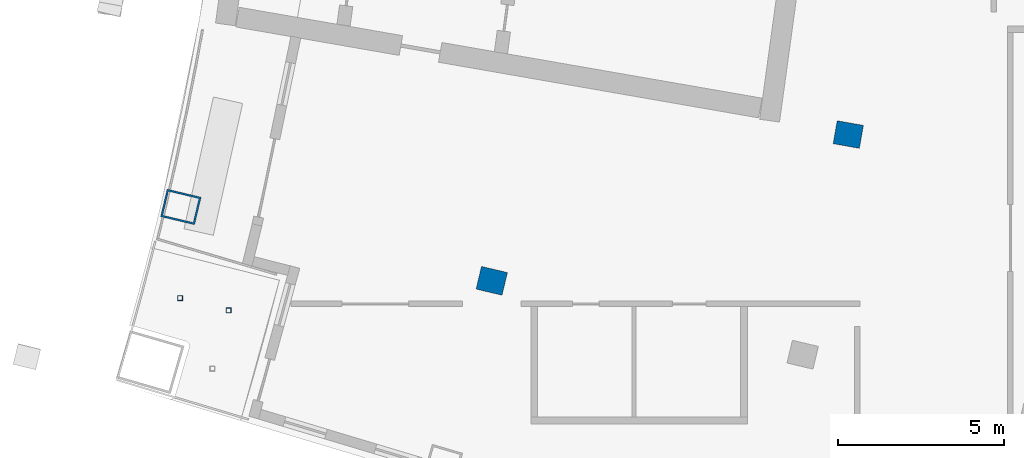
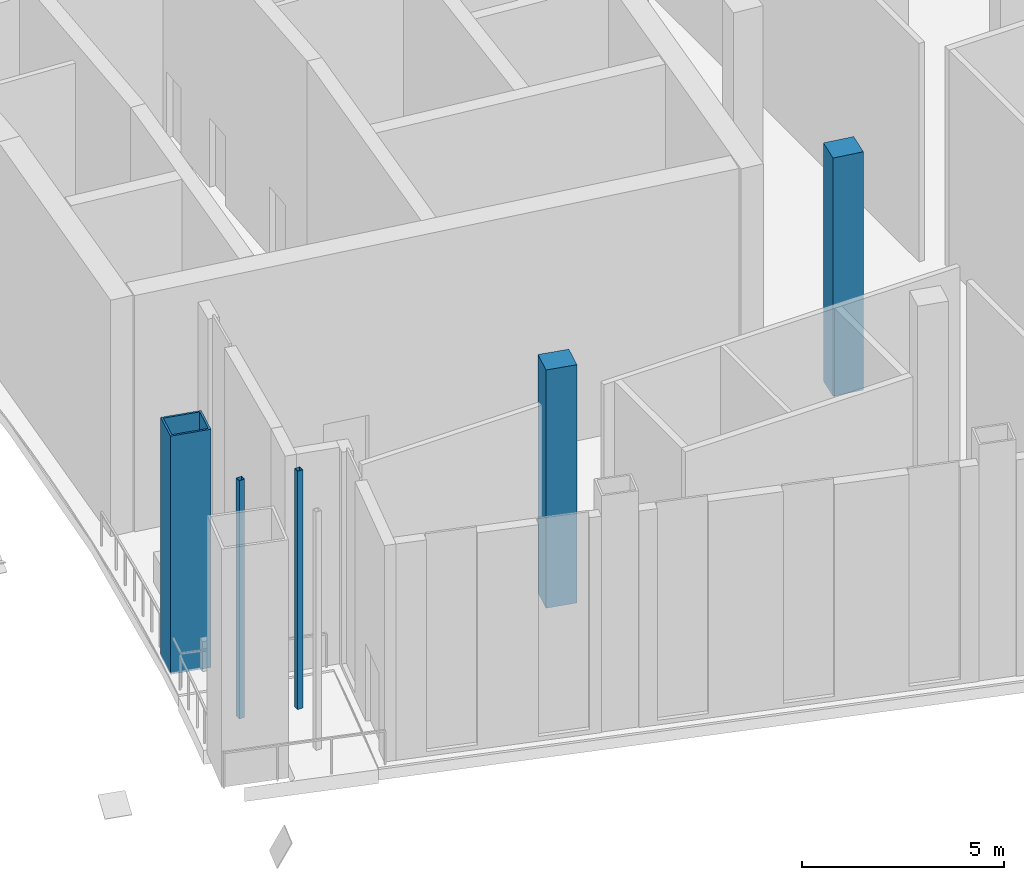
# One storey, part 3 of 24: 5 columns.
"""IFC4 building model written with IfcOpenShell, lengths in metres."""

from ifc_helpers import new_model, si_unit, direction, frame, origin, origin_2d, place, context, subcontext, project, spatial, rectangle, hollow_rectangle, extrude, material, material_profile, profile_set, type_object, element, save


model = new_model("IFC4")

# Units and contexts
model_context = context("Model", 3, precision=1e-05, world=origin(), true_north=direction((0.0, 1.0)))
body_context = subcontext(model_context, "Body", "Model", "MODEL_VIEW")
ifc_project = project(units=[si_unit("LENGTHUNIT", "METRE"), si_unit("AREAUNIT", "SQUARE_METRE"), si_unit("VOLUMEUNIT", "CUBIC_METRE"), si_unit("PLANEANGLEUNIT", "RADIAN"), si_unit("MASSUNIT", "GRAM", prefix="KILO")], contexts=[model_context])

# Site, building, storey
site_placement = place(None, origin())
site = spatial("IfcSite", under=ifc_project, at=site_placement, CompositionType="ELEMENT")
building_placement = place(site_placement, origin())
building = spatial("IfcBuilding", under=site, at=building_placement, Name="Alderwake Tower", CompositionType="ELEMENT")
storey_placement = place(building_placement, frame((0.0, 0.0, 232.39990234375)))
storey = spatial("IfcBuildingStorey", under=building, at=storey_placement, Name="L58", CompositionType="ELEMENT", Elevation=232.39990234375)

# Columns
ifc_material_1 = material(Name="Concrete C70/85", Category="concrete")
ifc_material_profile_1 = material_profile(ifc_material_1, rectangle(XDim=0.699951171875, YDim=0.800048828125, at=origin_2d()), Name="RC 800X700")
ifc_profile_set_1 = profile_set([ifc_material_profile_1], Name="Concrete C70/85")
column_type_1 = type_object("IfcColumnType", Name="Interior column Z4", PredefinedType="COLUMN", material=ifc_profile_set_1)
for number, where, z_axis, x_axis, name in (
    (1, (23.322021484375, 36.444091796875, 0.0), (0.0, 0.0, 1.0), (0.231221547198, 0.972901123502, 0.0), "Column R03-C1"),
    (2, (34.03125, 40.83837890625, 0.0), (0.0, 0.0, 1.0), (0.174108800747, 0.984726421654, 0.0), "Column R04-C2"),
):
    element("IfcColumn", number, at=place(storey_placement, frame(where, z_axis=z_axis, x_axis=x_axis)), inside=storey, type_object=column_type_1, Name=name, PredefinedType="COLUMN", context=body_context, shape_type="SweptSolid", body=[
        extrude(rectangle(XDim=0.699951171875, YDim=0.800048828125, at=origin_2d()), origin(), (0.0, 0.0, 1.0), 7.2001953125),
    ])
ifc_material_2 = material(Name="Steel ASTM A500 Grade C", Category="steel")
ifc_material_profile_2 = material_profile(ifc_material_2, hollow_rectangle(XDim=0.15234375, YDim=0.15234375, WallThickness=0.0087890625, at=origin_2d()), Name="HSS6X6X3/8")
ifc_profile_set_2 = profile_set([ifc_material_profile_2], Name="Steel ASTM A500 Grade C")
column_type_2 = type_object("IfcColumnType", Name="Light post HSS6X6X3/8", PredefinedType="COLUMN", material=ifc_profile_set_2)
for number, where, z_axis, x_axis, name in (
    (3, (13.962158203125, 35.926513671875, 0.0), (0.0, 0.0, 1.0), (1.0, 0.0, 0.0), "Terrace post RS1"),
    (4, (15.41650390625, 35.558349609375, 0.0), (0.0, 0.0, 1.0), (1.0, 0.0, 0.0), "Terrace post RS3"),
):
    element("IfcColumn", number, at=place(storey_placement, frame(where, z_axis=z_axis, x_axis=x_axis)), inside=storey, type_object=column_type_2, Name=name, PredefinedType="COLUMN", context=body_context, shape_type="SweptSolid", body=[
        extrude(hollow_rectangle(XDim=0.15234375, YDim=0.15234375, WallThickness=0.0087890625, at=origin_2d()), origin(), (0.0, 0.0, 1.0), 7.2001953125),
    ])
ifc_material_3 = material(Name="Steel ASTM A572 Grade 50 concrete filled C70/85", Category="concrete")
ifc_material_profile_3 = material_profile(ifc_material_3, hollow_rectangle(XDim=0.85009765625, YDim=1.050048828125, WallThickness=0.054931640625, at=origin_2d()), Name="BOX 1050X850X55")
ifc_profile_set_3 = profile_set([ifc_material_profile_3], Name="Steel ASTM A572 Grade 50 concrete filled C70/85")
column_type_3 = type_object("IfcColumnType", Name="Perimeter column Z4", PredefinedType="COLUMN", material=ifc_profile_set_3)
column_placement = place(storey_placement, frame((13.982177734375, 38.6640625, 0.0), z_axis=(0.0, 0.0, 1.0), x_axis=(0.231221547198, 0.972901123502, 0.0)))
element("IfcColumn", 5, at=column_placement, inside=storey, type_object=column_type_3, Name="Column R03-C0", PredefinedType="COLUMN", context=body_context, shape_type="SweptSolid", body=[
    extrude(hollow_rectangle(XDim=0.85009765625, YDim=1.050048828125, WallThickness=0.054931640625, at=origin_2d()), origin(), (0.0, 0.0, 1.0), 7.2001953125),
])

save(model, "model.ifc")
